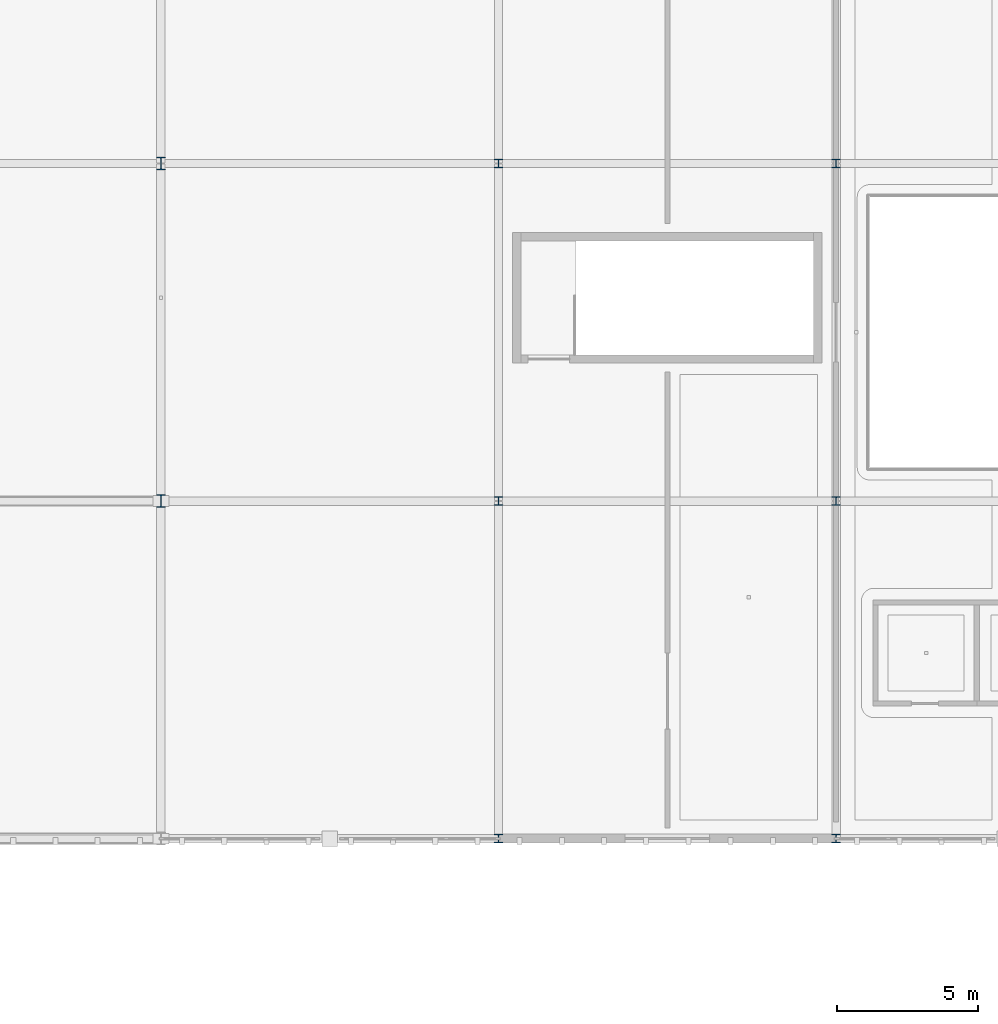
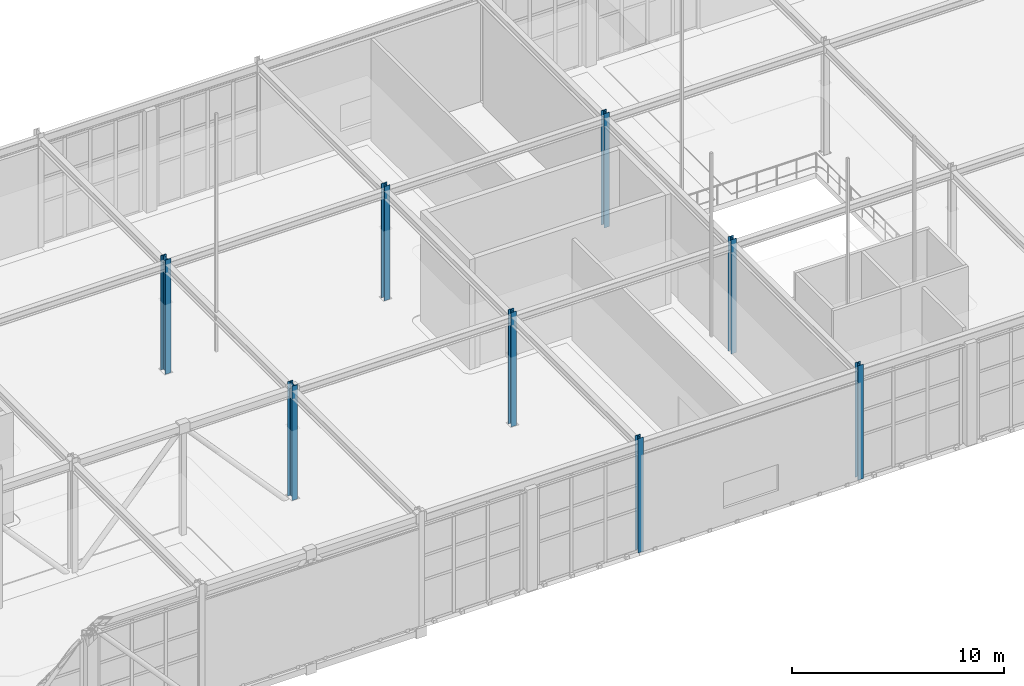
# One storey, part 2 of 62: 8 columns.
"""IFC4 building model written with IfcOpenShell, lengths in metres."""

import ifcopenshell
import ifcopenshell.guid

model = None  # the IFC model being written
_history = None  # IfcOwnerHistory: only IFC2X3 demands one
_inside = {}  # id of a spatial element -> (the spatial element, [elements in it])
_under = {}  # id of a project, library or spatial element -> (it, [spatial elements below it])
_declared = {}  # id of a project -> (the project, [libraries it declares])
_typed = {}  # id of a type object -> (the type object, [elements of that type])
_made_of = {}  # id of a material, layer set ... -> (it, [elements and type objects made of it])


def new_model(schema):
    """Start an empty IFC model of exactly this schema.

    Asked for "IFC4X3", IfcOpenShell would pick the latest addendum, in which some entities
    have other attributes; the version numbers below select the first issue.
    IFC2X3 requires an IfcOwnerHistory on every rooted entity: one is made here for all.
    """
    global model, _history
    if schema == "IFC4X3":
        model = ifcopenshell.file(schema_version=(4, 3, 0, 0))
    else:
        model = ifcopenshell.file(schema=schema)
    _inside.clear()
    _under.clear()
    _declared.clear()
    _typed.clear()
    _made_of.clear()
    _history = None
    if model.schema == "IFC2X3":
        org = make("IfcOrganization", Name="unknown")
        user = make(
            "IfcPersonAndOrganization",
            ThePerson=make("IfcPerson", FamilyName="unknown"),
            TheOrganization=org,
        )
        app = make(
            "IfcApplication",
            ApplicationDeveloper=org,
            Version="unknown",
            ApplicationFullName="unknown",
            ApplicationIdentifier="unknown",
        )
        _history = make(
            "IfcOwnerHistory",
            OwningUser=user,
            OwningApplication=app,
            ChangeAction="ADDED",
            CreationDate=0,
        )
    return model


def make(cls, **values):
    """One entity of the class cls with the attributes given. An attribute that is None is left unset."""
    return model.create_entity(
        cls, **{name: value for name, value in values.items() if value is not None}
    )


def rooted(cls, **values):
    """An entity with a GlobalId (a new one), such as an element, a storey or a relation."""
    return make(cls, GlobalId=ifcopenshell.guid.new(), OwnerHistory=_history, **values)


def si_unit(unit_type, name, prefix=None):
    """IfcSIUnit, for example si_unit("LENGTHUNIT", "METRE", prefix="MILLI")."""
    return make("IfcSIUnit", UnitType=unit_type, Prefix=prefix, Name=name)


def assignment(units):
    """IfcUnitAssignment: the units of a project."""
    return None if units is None else make("IfcUnitAssignment", Units=units)


def point(xyz):
    """IfcCartesianPoint."""
    return None if xyz is None else make("IfcCartesianPoint", Coordinates=xyz)


def direction(xyz):
    """IfcDirection."""
    return None if xyz is None else make("IfcDirection", DirectionRatios=xyz)


def frame(location, z_axis=None, x_axis=None):
    """IfcAxis2Placement3D, a coordinate frame: its origin and axes. An axis left out is left unset."""
    return make(
        "IfcAxis2Placement3D",
        Location=point(location),
        Axis=direction(z_axis),
        RefDirection=direction(x_axis),
    )


def frame_2d(location, x_axis=None):
    """IfcAxis2Placement2D, a coordinate frame in the plane: its origin and x axis."""
    return make(
        "IfcAxis2Placement2D", Location=point(location), RefDirection=direction(x_axis)
    )


def origin():
    """The frame at (0, 0, 0) with its axes left unset."""
    return frame((0.0, 0.0, 0.0))


def origin_2d():
    """The frame at (0, 0) in the plane with its x axis left unset."""
    return frame_2d((0.0, 0.0))


def place(relative_to, where):
    """IfcLocalPlacement: puts the frame where relative to a parent placement (None: the world)."""
    return make(
        "IfcLocalPlacement", PlacementRelTo=relative_to, RelativePlacement=where
    )


def context(
    kind, dimensions, precision=None, world=None, true_north=None, identifier=None
):
    """IfcGeometricRepresentationContext, for example the 3D "Model" context."""
    return make(
        "IfcGeometricRepresentationContext",
        ContextIdentifier=identifier,
        ContextType=kind,
        CoordinateSpaceDimension=dimensions,
        Precision=precision,
        WorldCoordinateSystem=world,
        TrueNorth=true_north,
    )


def subcontext(parent, identifier, kind, view, scale=None):
    """IfcGeometricRepresentationSubContext, for example "Body" below "Model"."""
    return make(
        "IfcGeometricRepresentationSubContext",
        ContextIdentifier=identifier,
        ContextType=kind,
        ParentContext=parent,
        TargetScale=scale,
        TargetView=view,
    )


def project(units=None, contexts=None):
    """IfcProject with its units and contexts."""
    return rooted(
        "IfcProject",
        Name="project",
        RepresentationContexts=contexts,
        UnitsInContext=assignment(units),
    )


def spatial(cls, under=None, at=None, **own):
    """A site, building, storey or space (cls), placed at a placement, below another one or the project."""
    s = rooted(cls, ObjectPlacement=at, **own)
    if under is not None:
        _under.setdefault(under.id(), (under, []))[1].append(s)
    return s


def profile(cls, at=None, kind="AREA", **sizes):
    """A parametric profile (cls). Its sizes go by their IFC names, for example OverallWidth=200.0."""
    return make(cls, ProfileType=kind, Position=at, **sizes)


def i_section(**sizes):
    """IfcIShapeProfileDef."""
    return profile("IfcIShapeProfileDef", **sizes)


def extrude(swept, where, along, depth):
    """IfcExtrudedAreaSolid: the profile swept, set in the frame where, extruded along a direction by depth."""
    return make(
        "IfcExtrudedAreaSolid",
        SweptArea=swept,
        Position=where,
        ExtrudedDirection=direction(along),
        Depth=depth,
    )


def shape(context_of_items, identifier, shape_type, items):
    """IfcShapeRepresentation: the items that make up one representation, for example the "Body"."""
    return make(
        "IfcShapeRepresentation",
        ContextOfItems=context_of_items,
        RepresentationIdentifier=identifier,
        RepresentationType=shape_type,
        Items=items,
    )


def material(Name=None, Category=None):
    """IfcMaterial."""
    return make("IfcMaterial", Name=Name, Category=Category)


def material_profile(
    of_material, cross_section, Name=None, Category=None, Priority=None
):
    """IfcMaterialProfile: a cross section and its material."""
    return make(
        "IfcMaterialProfile",
        Name=Name,
        Material=of_material,
        Profile=cross_section,
        Priority=Priority,
        Category=Category,
    )


def profile_set(profiles, Name=None, composite=None):
    """IfcMaterialProfileSet."""
    return make(
        "IfcMaterialProfileSet",
        Name=Name,
        MaterialProfiles=profiles,
        CompositeProfile=composite,
    )


def made_of(thing, what):
    """Note that an element or type object is made of a material, layer set ...; save() writes the relation."""
    if what is not None:
        _made_of.setdefault(what.id(), (what, []))[1].append(thing)
    return thing


def type_object(cls, material=None, **own):
    """A type object (cls), such as IfcWallType, which elements share."""
    return made_of(rooted(cls, **own), material)


def element(
    cls,
    number,
    at=None,
    inside=None,
    cuts=None,
    type_object=None,
    material=None,
    context=None,
    identifier="Body",
    shape_type=None,
    held_by="IfcProductDefinitionShape",
    body=None,
    shapes=None,
    **own,
):
    """One element of the class cls, such as IfcWall. Its Tag is "e" and its number.

    at: its placement. inside: the storey or other place that contains it. cuts: it is an
    opening in that element (IfcRelVoidsElement). A single representation is given by context,
    identifier, shape_type and body (its items); several are given by shapes. held_by: the class
    of the entity that holds the representations. save() writes the other relations.
    """
    e = rooted(cls, Tag="e%d" % number, ObjectPlacement=at, **own)
    if body is not None:
        shapes = [shape(context, identifier, shape_type, body)]
    if shapes is not None:
        e.Representation = make(held_by, Representations=shapes)
    if inside is not None:
        _inside.setdefault(inside.id(), (inside, []))[1].append(e)
    if cuts is not None:
        rooted(
            "IfcRelVoidsElement", RelatingBuildingElement=cuts, RelatedOpeningElement=e
        )
    if type_object is not None:
        _typed.setdefault(type_object.id(), (type_object, []))[1].append(e)
    return made_of(e, material)


def aggregate(whole, parts):
    """IfcRelAggregates: a whole, such as a stair, and the parts it consists of."""
    return rooted("IfcRelAggregates", RelatingObject=whole, RelatedObjects=parts)


def save(model, path):
    """Write the relations noted so far, then the file.

    IfcRelAggregates (storeys below a building ...), IfcRelContainedInSpatialStructure (elements
    in a storey), IfcRelDefinesByType, IfcRelAssociatesMaterial and IfcRelDeclares: one each for
    every whole, place, type object, material and project.
    """
    for whole, parts in _under.values():
        aggregate(whole, parts)
    for where, things in _inside.values():
        rooted(
            "IfcRelContainedInSpatialStructure",
            RelatedElements=things,
            RelatingStructure=where,
        )
    for kind, things in _typed.values():
        rooted("IfcRelDefinesByType", RelatedObjects=things, RelatingType=kind)
    for what, things in _made_of.values():
        rooted("IfcRelAssociatesMaterial", RelatedObjects=things, RelatingMaterial=what)
    for by, libraries in _declared.values():
        rooted("IfcRelDeclares", RelatingContext=by, RelatedDefinitions=libraries)
    model.write(path)


model = new_model("IFC4")

# Units and contexts
model_context = context("Model", 3, precision=1e-05, world=origin(), true_north=direction((0.0, 1.0)))
body_context = subcontext(model_context, "Body", "Model", "MODEL_VIEW")
ifc_project = project(units=[si_unit("LENGTHUNIT", "METRE"), si_unit("AREAUNIT", "SQUARE_METRE"), si_unit("VOLUMEUNIT", "CUBIC_METRE"), si_unit("PLANEANGLEUNIT", "RADIAN"), si_unit("MASSUNIT", "GRAM", prefix="KILO")], contexts=[model_context])

# Site, building, storey
site_placement = place(None, origin())
site = spatial("IfcSite", under=ifc_project, at=site_placement, CompositionType="ELEMENT")
building_placement = place(site_placement, origin())
building = spatial("IfcBuilding", under=site, at=building_placement, Name="Zlatogorsky Bluff Art Gallery", CompositionType="ELEMENT")
storey_placement = place(building_placement, frame((0.0, 0.0, 16.800048828125)))
storey = spatial("IfcBuildingStorey", under=building, at=storey_placement, Name="L03", CompositionType="ELEMENT", Elevation=16.800048828125)

# Columns
ifc_material = material(Name="Steel S355", Category="steel")
ifc_material_profile_1 = material_profile(ifc_material, i_section(OverallWidth=0.300048828125, OverallDepth=0.449951171875, WebThickness=0.013916015625, FlangeThickness=0.02587890625, FilletRadius=0.027099609375, at=origin_2d()), Name="HEB 450")
ifc_profile_set_1 = profile_set([ifc_material_profile_1], Name="Steel S355")
column_type_1 = type_object("IfcColumnType", Name="Column CL-03 HEB 450", PredefinedType="COLUMN", material=ifc_profile_set_1)
for number, where, z_axis, x_axis, name in (
    (1, (24.0, 96.0, 0.0), (0.0, 0.0, 1.0), (1.0, 0.0, 0.0), "Column CL-03 L03 C10"),
    (2, (24.0, 108.0, 0.0), (0.0, 0.0, 1.0), (1.0, 0.0, 0.0), "Column CL-03 L03 C11"),
):
    element("IfcColumn", number, at=place(storey_placement, frame(where, z_axis=z_axis, x_axis=x_axis)), inside=storey, type_object=column_type_1, Name=name, PredefinedType="COLUMN", context=body_context, shape_type="SweptSolid", body=[
        extrude(i_section(OverallWidth=0.300048828125, OverallDepth=0.449951171875, WebThickness=0.013916015625, FlangeThickness=0.02587890625, FilletRadius=0.027099609375, at=origin_2d()), origin(), (0.0, 0.0, 1.0), 6.599853515625),
    ])
ifc_material_profile_2 = material_profile(ifc_material, i_section(OverallWidth=0.300048828125, OverallDepth=0.300048828125, WebThickness=0.010986328125, FlangeThickness=0.01904296875, FilletRadius=0.027099609375, at=origin_2d()), Name="HEB 300")
ifc_profile_set_2 = profile_set([ifc_material_profile_2], Name="Steel S355")
column_type_2 = type_object("IfcColumnType", Name="Column CL-06 HEB 300", PredefinedType="COLUMN", material=ifc_profile_set_2)
for number, where, z_axis, x_axis, name in (
    (3, (36.0, 84.0, 0.0), (0.0, 0.0, 1.0), (1.0, 0.0, 0.0), "Column CL-06 L03 D9"),
    (4, (36.0, 96.0, 0.0), (0.0, 0.0, 1.0), (1.0, 0.0, 0.0), "Column CL-06 L03 D10"),
    (5, (36.0, 108.0, 0.0), (0.0, 0.0, 1.0), (1.0, 0.0, 0.0), "Column CL-06 L03 D11"),
    (6, (48.0, 84.0, 0.0), (0.0, 0.0, 1.0), (1.0, 0.0, 0.0), "Column CL-06 L03 E9"),
    (7, (48.0, 96.0, 0.0), (0.0, 0.0, 1.0), (1.0, 0.0, 0.0), "Column CL-06 L03 E10"),
    (8, (48.0, 108.0, 0.0), (0.0, 0.0, 1.0), (1.0, 0.0, 0.0), "Column CL-06 L03 E11"),
):
    element("IfcColumn", number, at=place(storey_placement, frame(where, z_axis=z_axis, x_axis=x_axis)), inside=storey, type_object=column_type_2, Name=name, PredefinedType="COLUMN", context=body_context, shape_type="SweptSolid", body=[
        extrude(i_section(OverallWidth=0.300048828125, OverallDepth=0.300048828125, WebThickness=0.010986328125, FlangeThickness=0.01904296875, FilletRadius=0.027099609375, at=origin_2d()), origin(), (0.0, 0.0, 1.0), 6.599853515625),
    ])

save(model, "model.ifc")
